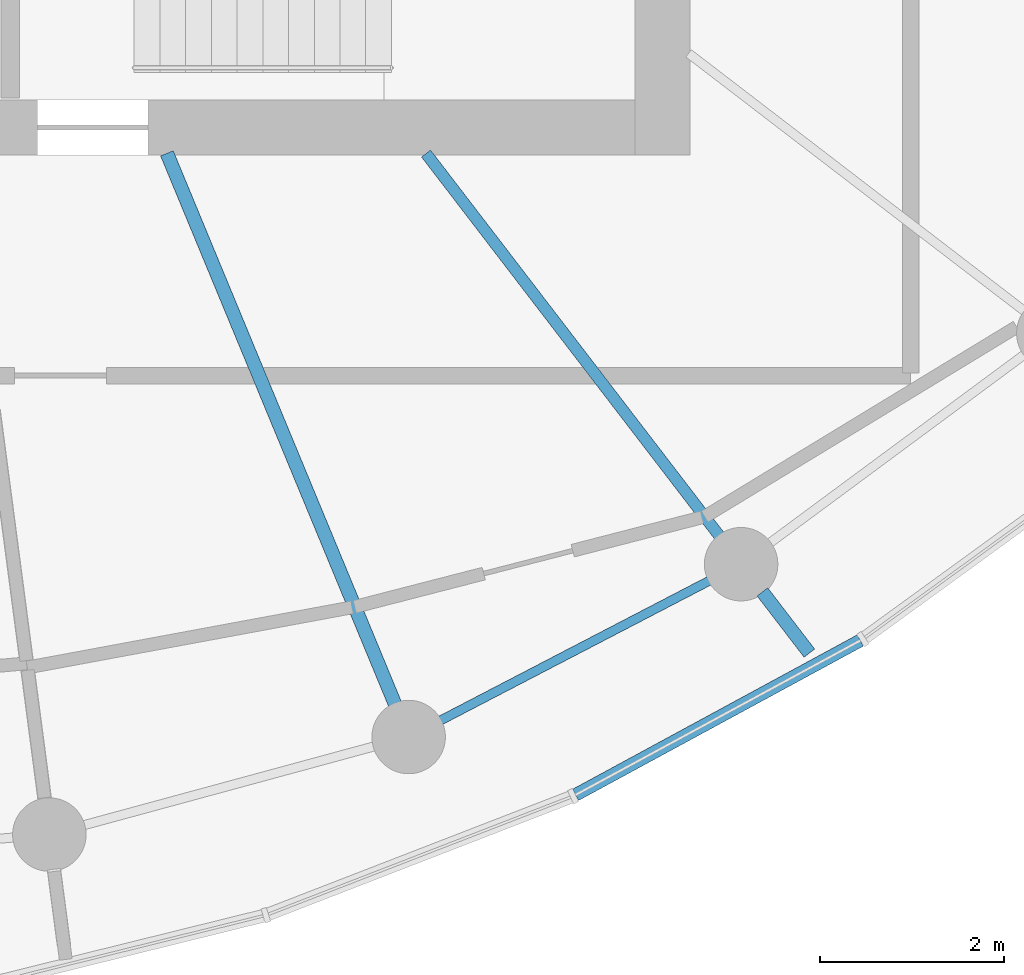
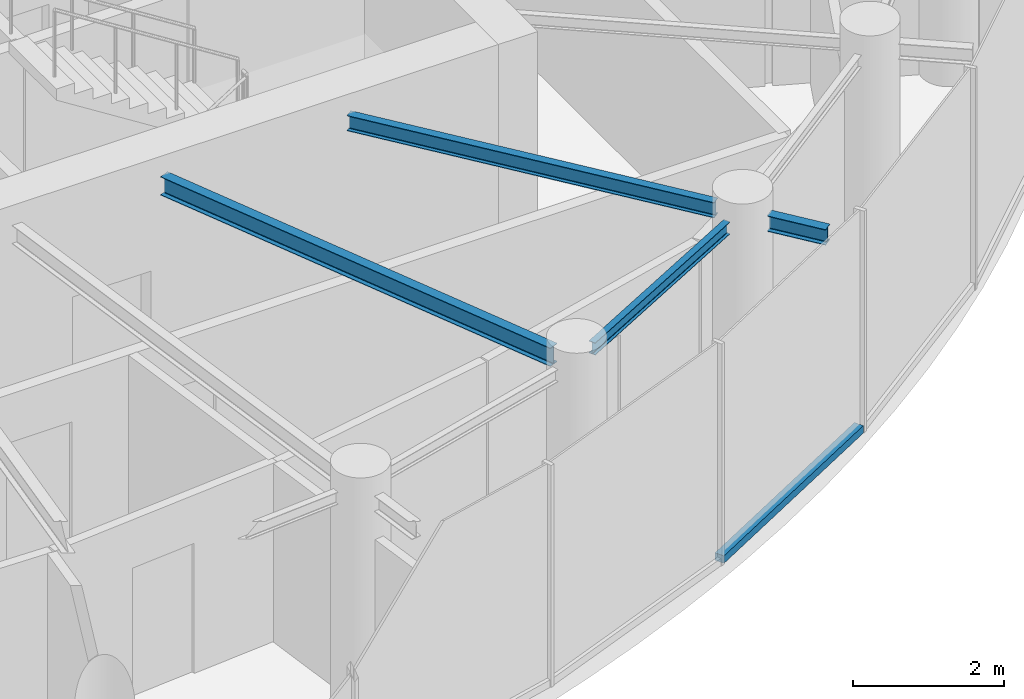
# One storey, part 3 of 13: 4 beams, 1 member, 1 element without a shape of its own.
"""IFC4 building model written with IfcOpenShell, lengths in metres."""

from ifc_helpers import new_model, si_unit, direction, frame, origin, origin_2d, place, context, subcontext, project, spatial, rectangle, i_section, extrude, source, transform, mapped, material, layer, layer_set, material_profile, profile_set, type_object, element, aggregate, save


model = new_model("IFC4")

# Units and contexts
model_context = context("Model", 3, precision=1e-05, world=origin(), true_north=direction((0.0, 1.0)))
body_context = subcontext(model_context, "Body", "Model", "MODEL_VIEW")
ifc_project = project(units=[si_unit("LENGTHUNIT", "METRE"), si_unit("AREAUNIT", "SQUARE_METRE"), si_unit("VOLUMEUNIT", "CUBIC_METRE"), si_unit("PLANEANGLEUNIT", "RADIAN"), si_unit("MASSUNIT", "GRAM", prefix="KILO")], contexts=[model_context])

# Site, building, storey
site_placement = place(None, origin())
site = spatial("IfcSite", under=ifc_project, at=site_placement, CompositionType="ELEMENT")
building_placement = place(site_placement, origin())
building = spatial("IfcBuilding", under=site, at=building_placement, Name="Spindrift Exchange Tower", CompositionType="ELEMENT")
storey_placement = place(building_placement, frame((0.0, 0.0, 242.300048828125)))
storey = spatial("IfcBuildingStorey", under=building, at=storey_placement, Name="L59", CompositionType="ELEMENT", Elevation=242.300048828125)

# Beams
ifc_material_1 = material(Name="Steel Grade 300", Category="steel")
ifc_material_profile_1 = material_profile(ifc_material_1, i_section(OverallWidth=0.14892578125, OverallDepth=0.298095703125, WebThickness=0.005615234375, FlangeThickness=0.008056640625, FilletRadius=0.012939453125, at=origin_2d()), Name="310UB32.0")
ifc_profile_set_1 = profile_set([ifc_material_profile_1], Name="Steel Grade 300")
beam_type_1 = type_object("IfcBeamType", Name="Floor Beam 310UB32.0 Steel Grade 300", PredefinedType="BEAM", material=ifc_profile_set_1)
shared_shape_1 = source(origin(), body_context, "Body", "SweptSolid", [
    extrude(i_section(OverallWidth=0.14892578125, OverallDepth=0.298095703125, WebThickness=0.005615234375, FlangeThickness=0.008056640625, FilletRadius=0.012939453125, at=origin_2d()), origin(), (0.0, 0.0, 1.0), 6.495849609375),
])
beam_1_placement = place(storey_placement, frame((55.30615234375, 40.0185546875, 3.430908203125), z_axis=(0.382677087308, -0.923882160695, 0.0), x_axis=(0.923882160695, 0.382677087308, 0.0)))
element("IfcBeam", 1, at=beam_1_placement, inside=storey, type_object=beam_type_1, Name="L59 radial beam R20A", PredefinedType="BEAM", context=body_context, shape_type="MappedRepresentation", body=[
    mapped(shared_shape_1, transform((0.0, 0.0, 0.0), scale=1.0)),
])
ifc_material_profile_2 = material_profile(ifc_material_1, i_section(OverallWidth=0.1240234375, OverallDepth=0.248046875, WebThickness=0.0048828125, FlangeThickness=0.008056640625, FilletRadius=0.011962890625, at=origin_2d()), Name="250UB25.7")
ifc_profile_set_2 = profile_set([ifc_material_profile_2], Name="Steel Grade 300")
beam_type_2 = type_object("IfcBeamType", Name="Floor Beam 250UB25.7 Steel Grade 300", PredefinedType="BEAM", material=ifc_profile_set_2)
shared_shape_2 = source(origin(), body_context, "Body", "SweptSolid", [
    extrude(i_section(OverallWidth=0.1240234375, OverallDepth=0.248046875, WebThickness=0.0048828125, FlangeThickness=0.008056640625, FilletRadius=0.011962890625, at=origin_2d()), origin(), (0.0, 0.0, 1.0), 5.25341796875),
])
beam_2_placement = place(storey_placement, frame((58.12646484375, 40.015869140625, 3.4560546875), z_axis=(0.608760287872, -0.793354215915, 0.0), x_axis=(0.793354215915, 0.608760287872, 0.0)))
element("IfcBeam", 2, at=beam_2_placement, inside=storey, type_object=beam_type_2, Name="L59 radial beam R21A", PredefinedType="BEAM", context=body_context, shape_type="MappedRepresentation", body=[
    mapped(shared_shape_2, transform((0.0, 0.0, 0.0), scale=1.0)),
])
ifc_material_profile_3 = material_profile(ifc_material_1, i_section(OverallWidth=0.09912109375, OverallDepth=0.197998046875, WebThickness=0.00439453125, FlangeThickness=0.007080078125, FilletRadius=0.010986328125, at=origin_2d()), Name="200UB18.2")
ifc_profile_set_3 = profile_set([ifc_material_profile_3], Name="Steel Grade 300")
beam_type_3 = type_object("IfcBeamType", Name="Edge Beam 200UB18.2 Steel Grade 300", PredefinedType="SPANDREL", material=ifc_profile_set_3)
shared_shape_3 = source(origin(), body_context, "Body", "SweptSolid", [
    extrude(i_section(OverallWidth=0.09912109375, OverallDepth=0.197998046875, WebThickness=0.00439453125, FlangeThickness=0.007080078125, FilletRadius=0.010986328125, at=origin_2d()), origin(), (0.0, 0.0, 1.0), 3.31787109375),
])
beam_3_placement = place(storey_placement, frame((58.2744140625, 33.84130859375, 3.48095703125), z_axis=(0.887327612278, 0.46113957593, 0.0), x_axis=(-0.46113957593, 0.887327612278, 0.0)))
element("IfcBeam", 3, at=beam_3_placement, inside=storey, type_object=beam_type_3, Name="L59 edge beam E20", PredefinedType="SPANDREL", context=body_context, shape_type="MappedRepresentation", body=[
    mapped(shared_shape_3, transform((0.0, 0.0, 0.0), scale=1.0)),
])
ifc_material_profile_4 = material_profile(ifc_material_1, i_section(OverallWidth=0.14599609375, OverallDepth=0.251953125, WebThickness=0.006103515625, FlangeThickness=0.008544921875, FilletRadius=0.011962890625, at=origin_2d()), Name="250UB31.4")
ifc_profile_set_4 = profile_set([ifc_material_profile_4], Name="Steel Grade 300")
beam_type_4 = type_object("IfcBeamType", Name="Cantilever Beam 250UB31.4 Steel Grade 300", PredefinedType="BEAM", material=ifc_profile_set_4)
shared_shape_4 = source(origin(), body_context, "Body", "SweptSolid", [
    extrude(i_section(OverallWidth=0.14599609375, OverallDepth=0.251953125, WebThickness=0.006103515625, FlangeThickness=0.008544921875, FilletRadius=0.011962890625, at=origin_2d()), origin(), (0.0, 0.0, 1.0), 0.840087890625),
])
beam_4_placement = place(storey_placement, frame((61.787109375, 35.245361328125, 3.453857421875), z_axis=(0.608797519424, -0.793325645837, 0.0), x_axis=(0.793325645837, 0.608797519424, 0.0)))
element("IfcBeam", 4, at=beam_4_placement, inside=storey, type_object=beam_type_4, Name="L59 cantilever beam R21T", PredefinedType="BEAM", context=body_context, shape_type="MappedRepresentation", body=[
    mapped(shared_shape_4, transform((0.0, 0.0, 0.0), scale=1.0)),
])

# Curtain wall, member
ifc_material_2 = material(Name="Fritted laminated glass with bronze frame", Category="glass")
ifc_layer = layer(ifc_material_2, 0.159912109375)
ifc_layer_set = layer_set([ifc_layer], Name="ZONE 5 BRONZE FRITTED WALL")
curtain_wall_type = type_object("IfcCurtainWallType", Name="ZONE 5 BRONZE FRITTED WALL", PredefinedType="NOTDEFINED", material=ifc_layer_set)
curtain_wall_placement = place(storey_placement, origin())
curtain_wall = element("IfcCurtainWall", 5, at=curtain_wall_placement, inside=storey, type_object=curtain_wall_type, Name="L59 Zone 5 Bronze Fritted Wall run 5", PredefinedType="NOTDEFINED")
ifc_material_3 = material(Name="Bronze anodised aluminium", Category="aluminium")
ifc_material_profile_5 = material_profile(ifc_material_3, rectangle(XDim=0.139892578125, YDim=0.1201171875, at=origin_2d()), Name="ZONE 5 BRONZE FRITTED WALL TRANSOM 140X120")
ifc_profile_set_5 = profile_set([ifc_material_profile_5], Name="Bronze anodised aluminium")
member_type = type_object("IfcMemberType", Name="ZONE 5 BRONZE FRITTED WALL TRANSOM 140X120", PredefinedType="USERDEFINED", material=ifc_profile_set_5)
shared_shape_5 = source(origin(), body_context, "Body", "SweptSolid", [
    extrude(rectangle(XDim=0.139892578125, YDim=0.1201171875, at=origin_2d()), origin(), (0.0, 0.0, 1.0), 3.5263671875),
])
member_placement = place(storey_placement, frame((59.75341796875, 33.035888671875, 0.06005859375), z_axis=(0.879091351902, 0.476653327914, 0.0), x_axis=(-0.476653327914, 0.879091351902, 0.0)))
member = element("IfcMember", 6, at=member_placement, type_object=member_type, Name="L59 transom CW-5.27", ObjectType="TRANSOM", PredefinedType="USERDEFINED", context=body_context, shape_type="MappedRepresentation", body=[
    mapped(shared_shape_5, transform((0.0, 0.0, 0.0), scale=1.0)),
])
aggregate(curtain_wall, [member])

save(model, "model.ifc")
